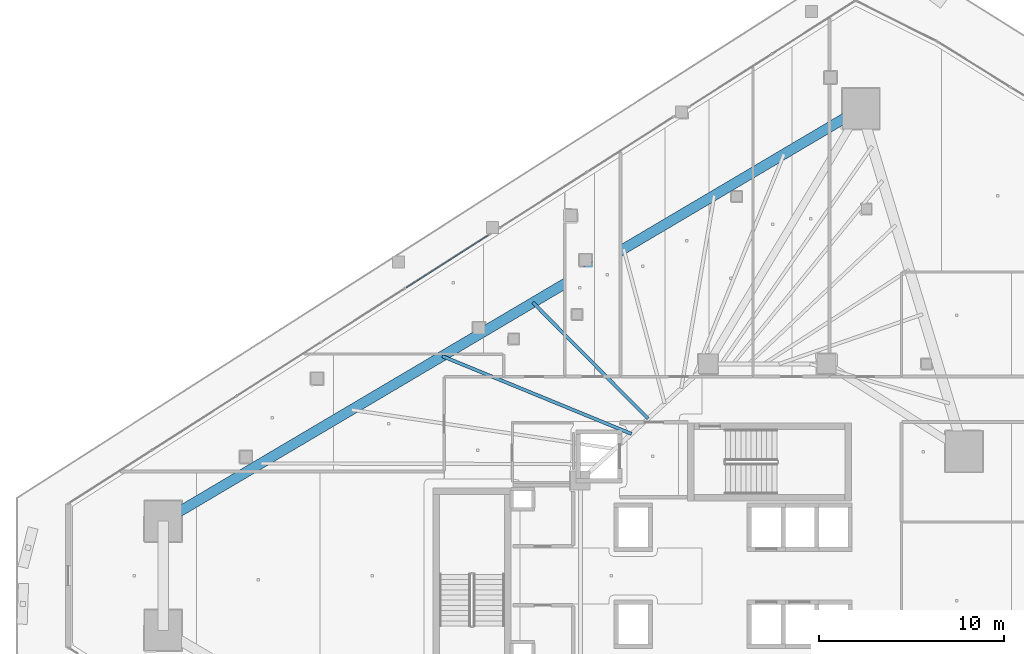
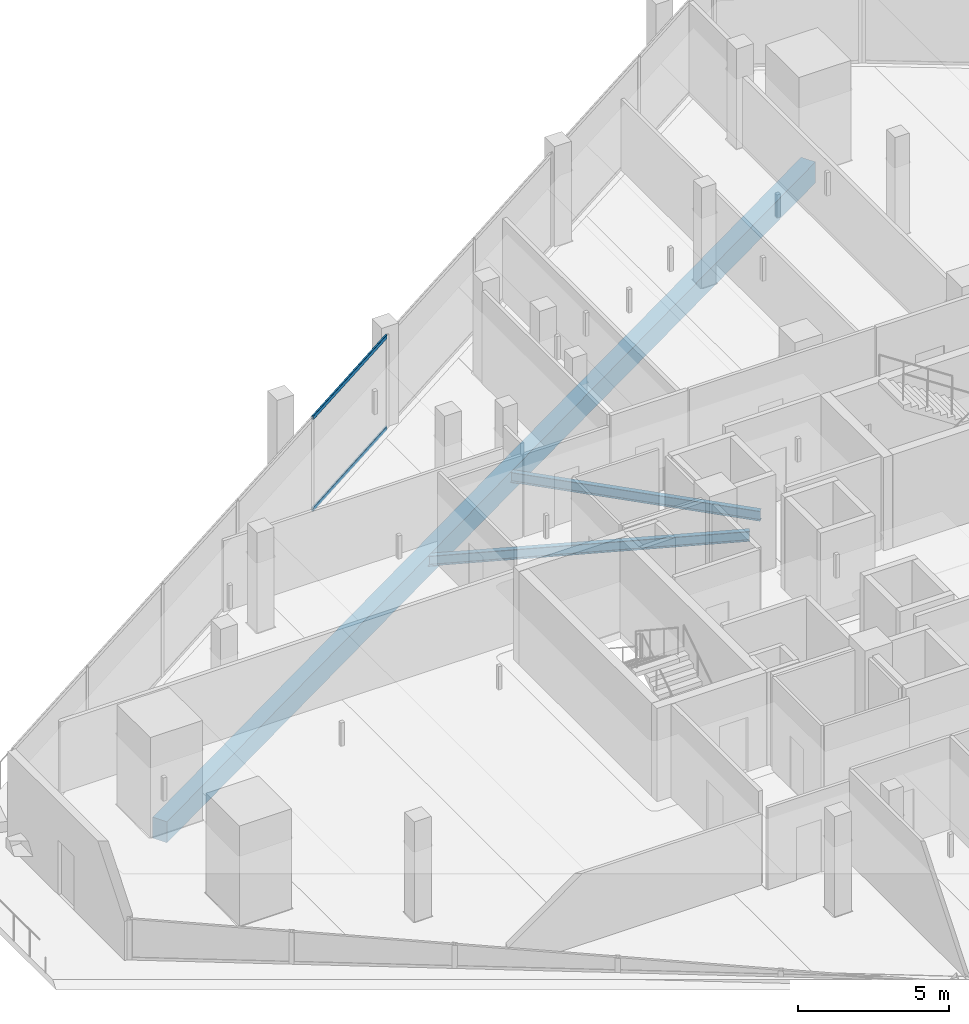
# One storey, part 17 of 45: 3 beams, 2 members, 1 element without a shape of its own.
"""IFC4 building model written with IfcOpenShell, lengths in metres."""

from ifc_helpers import new_model, si_unit, direction, frame, origin, origin_2d, place, context, subcontext, project, spatial, rectangle, hollow_rectangle, i_section, extrude, material, layer, layer_set, material_profile, profile_set, type_object, element, aggregate, save


model = new_model("IFC4")

# Units and contexts
model_context = context("Model", 3, precision=1e-05, world=origin(), true_north=direction((0.0, 1.0)))
body_context = subcontext(model_context, "Body", "Model", "MODEL_VIEW")
ifc_project = project(units=[si_unit("LENGTHUNIT", "METRE"), si_unit("AREAUNIT", "SQUARE_METRE"), si_unit("VOLUMEUNIT", "CUBIC_METRE"), si_unit("PLANEANGLEUNIT", "RADIAN"), si_unit("MASSUNIT", "GRAM", prefix="KILO")], contexts=[model_context])

# Site, building, storey
site_placement = place(None, origin())
site = spatial("IfcSite", under=ifc_project, at=site_placement, CompositionType="ELEMENT")
building_placement = place(site_placement, origin())
building = spatial("IfcBuilding", under=site, at=building_placement, Name="Qorvath Tower", CompositionType="ELEMENT")
storey_placement = place(building_placement, frame((0.0, 0.0, 109.800048828125)))
storey = spatial("IfcBuildingStorey", under=building, at=storey_placement, Name="L24", CompositionType="ELEMENT", Elevation=109.800048828125)

# Beams
ifc_material_1 = material(Name="Steel ASTM A992 Grade 50", Category="steel")
ifc_material_profile_1 = material_profile(ifc_material_1, i_section(OverallWidth=0.177978515625, OverallDepth=0.406005859375, WebThickness=0.0078125, FlangeThickness=0.0126953125, FilletRadius=0.010986328125, at=origin_2d()), Name="W16x40")
ifc_profile_set_1 = profile_set([ifc_material_profile_1], Name="Steel ASTM A992 Grade 50")
beam_type_1 = type_object("IfcBeamType", Name="BM-FJ3", PredefinedType="JOIST", material=ifc_profile_set_1)
beam_1_placement = place(storey_placement, frame((-27.739990234375, 7.669921875, -0.483154296875), z_axis=(-0.925068176006, 0.379801092338, 0.0), x_axis=(-0.379801092338, -0.925068176006, 0.0)))
element("IfcBeam", 1, at=beam_1_placement, inside=storey, type_object=beam_type_1, Name="Composite Floor Joist NW3 L24", PredefinedType="JOIST", context=body_context, shape_type="SweptSolid", body=[
    extrude(i_section(OverallWidth=0.177978515625, OverallDepth=0.406005859375, WebThickness=0.0078125, FlangeThickness=0.0126953125, FilletRadius=0.010986328125, at=origin_2d()), origin(), (0.0, 0.0, 1.0), 11.0556640625),
])
beam_2_placement = place(storey_placement, frame((-26.843017578125, 8.489013671875, -0.483154296875), z_axis=(-0.70395121362, 0.710248328997, 0.0), x_axis=(-0.710248328997, -0.70395121362, 0.0)))
element("IfcBeam", 2, at=beam_2_placement, inside=storey, type_object=beam_type_1, Name="Composite Floor Joist NW4 L24", PredefinedType="JOIST", context=body_context, shape_type="SweptSolid", body=[
    extrude(i_section(OverallWidth=0.177978515625, OverallDepth=0.406005859375, WebThickness=0.0078125, FlangeThickness=0.0126953125, FilletRadius=0.010986328125, at=origin_2d()), origin(), (0.0, 0.0, 1.0), 8.839599609375),
])
ifc_material_2 = material(Name="Concrete C50/60", Category="concrete")
ifc_material_profile_2 = material_profile(ifc_material_2, rectangle(XDim=0.550048828125, YDim=0.85009765625, at=origin_2d()), Name="RCB 850x550")
ifc_profile_set_2 = profile_set([ifc_material_profile_2], Name="Concrete C50/60")
beam_type_2 = type_object("IfcBeamType", Name="BM-RCB2", PredefinedType="SPANDREL", material=ifc_profile_set_2)
beam_3_placement = place(storey_placement, frame((-15.34423828125, 25.24609375, -0.705078125), z_axis=(-0.860775142889, -0.508985415689, 0.0), x_axis=(0.508985415689, -0.860775142889, 0.0)))
element("IfcBeam", 3, at=beam_3_placement, inside=storey, type_object=beam_type_2, Name="Perimeter Loggia Frame Beam MC6-MC1 L24", PredefinedType="SPANDREL", context=body_context, shape_type="SweptSolid", body=[
    extrude(rectangle(XDim=0.550048828125, YDim=0.85009765625, at=origin_2d()), origin(), (0.0, 0.0, 1.0), 43.8037109375),
])

# Curtain wall, members
ifc_material_3 = material(Name="Anodised aluminium and triple low-E glass", Category="aluminium")
ifc_layer = layer(ifc_material_3, 0.179931640625)
ifc_layer_set = layer_set([ifc_layer], Name="CW-SYS-2")
curtain_wall_type = type_object("IfcCurtainWallType", Name="CW-SYS-2", PredefinedType="NOTDEFINED", material=ifc_layer_set)
curtain_wall_placement = place(storey_placement, origin())
curtain_wall = element("IfcCurtainWall", 4, at=curtain_wall_placement, inside=storey, type_object=curtain_wall_type, Name="Curtain Wall CW-2 CW-T-L24-16.3", PredefinedType="NOTDEFINED")
ifc_material_4 = material(Name="Anodised aluminium 6063-T6", Category="aluminium")
ifc_material_profile_3 = material_profile(ifc_material_4, hollow_rectangle(XDim=0.06494140625, YDim=0.159912109375, WallThickness=0.00341796875, InnerFilletRadius=0.00341796875, OuterFilletRadius=0.007080078125, at=origin_2d()), Name="CWT 160x65")
ifc_profile_set_3 = profile_set([ifc_material_profile_3], Name="Anodised aluminium 6063-T6")
member_type = type_object("IfcMemberType", Name="CWT-160", PredefinedType="USERDEFINED", material=ifc_profile_set_3)
member_1_placement = place(storey_placement, frame((-35.441650390625, 18.42431640625, 0.032470703125), z_axis=(-0.842600735632, -0.538538763984, 0.0), x_axis=(0.538538763984, -0.842600735632, 0.0)))
member_1 = element("IfcMember", 5, at=member_1_placement, type_object=member_type, Name="CW-2 transom 1.1", ObjectType="TRANSOM", PredefinedType="USERDEFINED", context=body_context, shape_type="SweptSolid", body=[
    extrude(hollow_rectangle(XDim=0.06494140625, YDim=0.159912109375, WallThickness=0.00341796875, InnerFilletRadius=0.00341796875, OuterFilletRadius=0.007080078125, at=origin_2d()), origin(), (0.0, 0.0, 1.0), 5.3154296875),
])
member_2_placement = place(storey_placement, frame((-35.441650390625, 18.42431640625, 3.737548828125), z_axis=(-0.842600735632, -0.538538763984, 0.0), x_axis=(0.538538763984, -0.842600735632, 0.0)))
member_2 = element("IfcMember", 6, at=member_2_placement, type_object=member_type, Name="CW-2 transom 1.2", ObjectType="TRANSOM", PredefinedType="USERDEFINED", context=body_context, shape_type="SweptSolid", body=[
    extrude(hollow_rectangle(XDim=0.06494140625, YDim=0.159912109375, WallThickness=0.00341796875, InnerFilletRadius=0.00341796875, OuterFilletRadius=0.007080078125, at=origin_2d()), origin(), (0.0, 0.0, 1.0), 5.3154296875),
])
aggregate(curtain_wall, [member_1, member_2])

save(model, "model.ifc")
